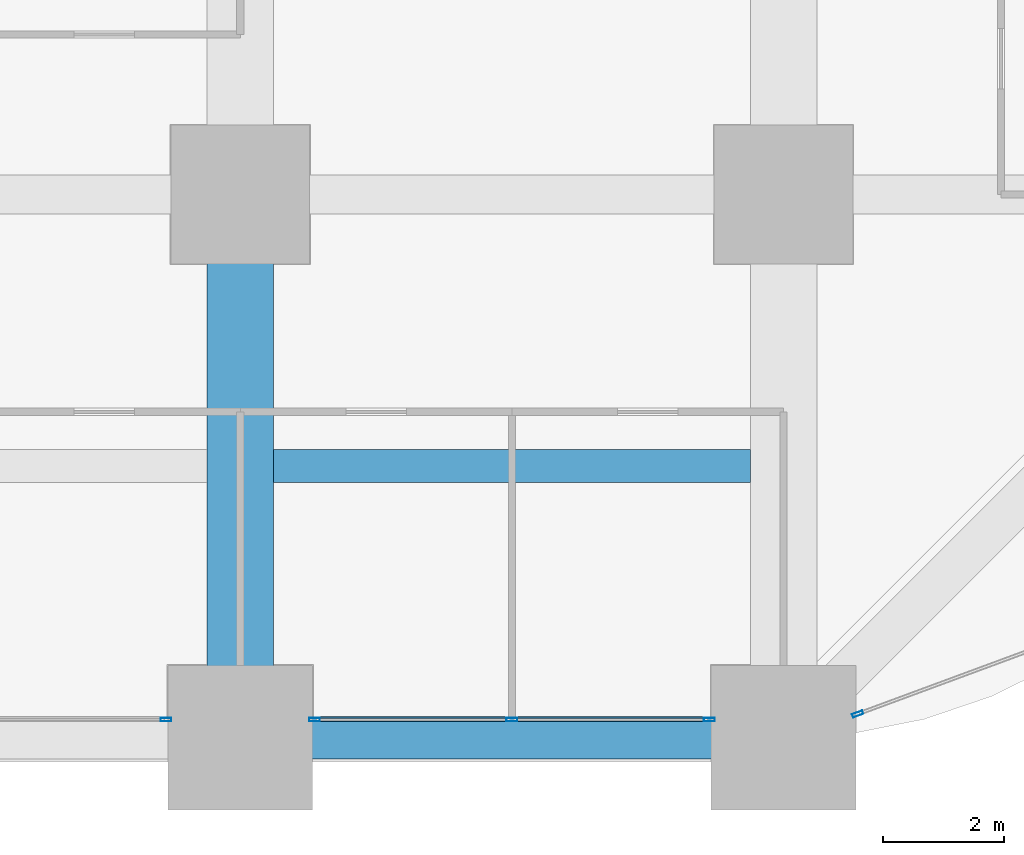
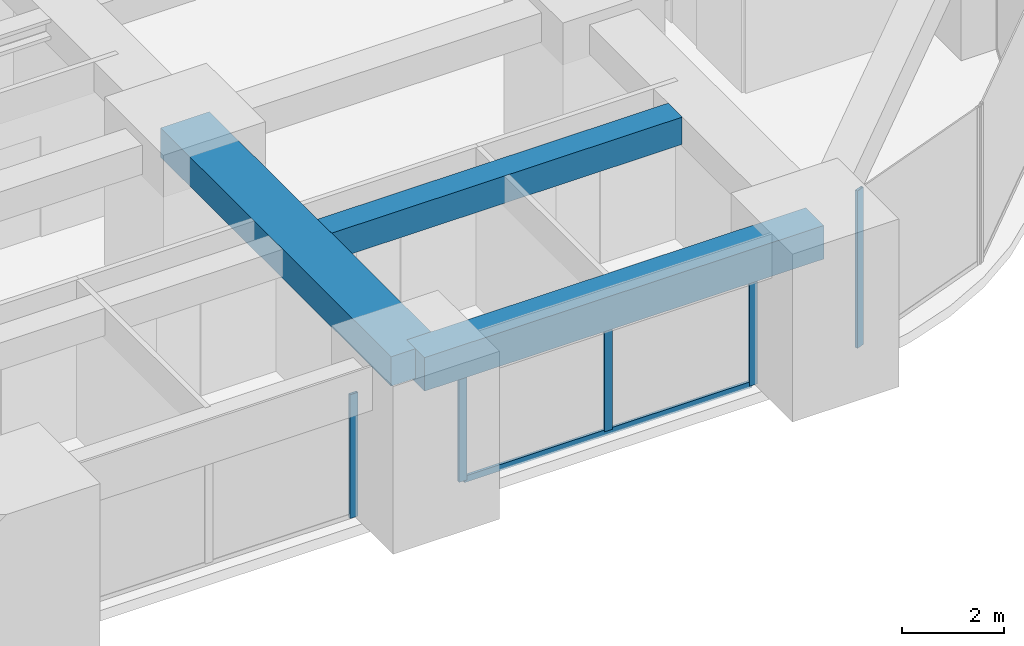
# One storey, part 13 of 39: 6 members, 3 beams, 3 elements without a shape of their own.
"""IFC4 building model written with IfcOpenShell, lengths in metres."""

from ifc_helpers import new_model, si_unit, direction, frame, origin, origin_2d, place, context, subcontext, project, spatial, rectangle, hollow_rectangle, extrude, material, material_profile, profile_set, type_object, element, aggregate, save


model = new_model("IFC4")

# Units and contexts
model_context = context("Model", 3, precision=1e-05, world=origin(), true_north=direction((0.0, 1.0)))
body_context = subcontext(model_context, "Body", "Model", "MODEL_VIEW")
ifc_project = project(units=[si_unit("LENGTHUNIT", "METRE"), si_unit("AREAUNIT", "SQUARE_METRE"), si_unit("VOLUMEUNIT", "CUBIC_METRE"), si_unit("PLANEANGLEUNIT", "RADIAN"), si_unit("MASSUNIT", "GRAM", prefix="KILO")], contexts=[model_context])

# Site, building, storey
site_placement = place(None, origin())
site = spatial("IfcSite", under=ifc_project, at=site_placement, CompositionType="ELEMENT")
building_placement = place(site_placement, origin())
building = spatial("IfcBuilding", under=site, at=building_placement, Name="Zorevar Civic Tower", CompositionType="ELEMENT")
storey_placement = place(building_placement, frame((0.0, 0.0, 19.800048828125)))
storey = spatial("IfcBuildingStorey", under=building, at=storey_placement, Name="L04", CompositionType="ELEMENT", Elevation=19.800048828125)

# Beams
ifc_material_1 = material(Name="Concrete C50/60", Category="concrete")
ifc_material_profile_1 = material_profile(ifc_material_1, rectangle(XDim=1.10009765625, YDim=0.699951171875, at=origin_2d()), Name="RC 1100x700")
ifc_profile_set_1 = profile_set([ifc_material_profile_1], Name="Concrete C50/60")
beam_type_1 = type_object("IfcBeamType", Name="Beam RC 1100x700", PredefinedType="BEAM", material=ifc_profile_set_1)
beam_1_placement = place(storey_placement, frame((45.0, 0.0, 3.39990234375), z_axis=(0.0, 1.0, 0.0), x_axis=(-1.0, 0.0, 0.0)))
element("IfcBeam", 1, at=beam_1_placement, inside=storey, type_object=beam_type_1, Name="Girder L05", PredefinedType="BEAM", context=body_context, shape_type="SweptSolid", body=[
    extrude(rectangle(XDim=1.10009765625, YDim=0.699951171875, at=origin_2d()), origin(), (0.0, 0.0, 1.0), 9.0),
])
ifc_material_2 = material(Name="Concrete C50/60", Category="concrete")
ifc_material_profile_2 = material_profile(ifc_material_2, rectangle(XDim=0.550048828125, YDim=0.64990234375, at=origin_2d()), Name="RC 550x650")
ifc_profile_set_2 = profile_set([ifc_material_profile_2], Name="Concrete C50/60")
beam_type_2 = type_object("IfcBeamType", Name="Beam RC 550x650", PredefinedType="BEAM", material=ifc_profile_set_2)
beam_2_placement = place(storey_placement, frame((45.550048828125, 4.5, 3.425048828125), z_axis=(1.0, 0.0, 0.0), x_axis=(0.0, 1.0, 0.0)))
element("IfcBeam", 2, at=beam_2_placement, inside=storey, type_object=beam_type_2, Name="Secondary beam L05", PredefinedType="BEAM", context=body_context, shape_type="SweptSolid", body=[
    extrude(rectangle(XDim=0.550048828125, YDim=0.64990234375, at=origin_2d()), origin(), (0.0, 0.0, 1.0), 7.89990234375),
])

# Curtain wall, member
ifc_material_3 = material(Name="Dark grey solar-control glass in black aluminium frame", Category="aluminium")
curtain_wall_type = type_object("IfcCurtainWallType", Name="Curtain wall CW2 low zone", PredefinedType="NOTDEFINED", material=ifc_material_3)
curtain_wall_1_placement = place(storey_placement, origin())
curtain_wall_1 = element("IfcCurtainWall", 3, at=curtain_wall_1_placement, inside=storey, type_object=curtain_wall_type, Name="CW2 L04", PredefinedType="NOTDEFINED")
ifc_material_4 = material(Name="Aluminium, black anodised", Category="aluminium")
ifc_material_profile_3 = material_profile(ifc_material_4, hollow_rectangle(XDim=0.06005859375, YDim=0.179931640625, WallThickness=0.00390625, at=origin_2d()), Name="AL 180x60x4")
ifc_profile_set_3 = profile_set([ifc_material_profile_3], Name="Aluminium, black anodised")
member_type_1 = type_object("IfcMemberType", Name="CW2 mullion AL 180x60x4", PredefinedType="MULLION", material=ifc_profile_set_3)
member_1_placement = place(storey_placement, frame((43.77001953125, 0.300048828125, 0.0), z_axis=(0.0, 0.0, 1.0), x_axis=(0.0, 1.0, 0.0)))
member_1 = element("IfcMember", 4, at=member_1_placement, type_object=member_type_1, Name="CW2 mullion 3", PredefinedType="MULLION", context=body_context, shape_type="SweptSolid", body=[
    extrude(hollow_rectangle(XDim=0.06005859375, YDim=0.179931640625, WallThickness=0.00390625, at=origin_2d()), origin(), (0.0, 0.0, 1.0), 2.949951171875),
])
aggregate(curtain_wall_1, [member_1])

# Curtain wall, members
curtain_wall_2_placement = place(storey_placement, origin())
curtain_wall_2 = element("IfcCurtainWall", 5, at=curtain_wall_2_placement, inside=storey, type_object=curtain_wall_type, Name="CW2 L04", PredefinedType="NOTDEFINED")
member_2_placement = place(storey_placement, frame((46.22998046875, 0.300048828125, 0.0), z_axis=(0.0, 0.0, 1.0), x_axis=(0.0, 1.0, 0.0)))
member_2 = element("IfcMember", 6, at=member_2_placement, type_object=member_type_1, Name="CW2 mullion 1", PredefinedType="MULLION", context=body_context, shape_type="SweptSolid", body=[
    extrude(hollow_rectangle(XDim=0.06005859375, YDim=0.179931640625, WallThickness=0.00390625, at=origin_2d()), origin(), (0.0, 0.0, 1.0), 2.949951171875),
])
member_3_placement = place(storey_placement, frame((49.5, 0.300048828125, 0.06005859375), z_axis=(0.0, 0.0, 1.0), x_axis=(0.0, 1.0, 0.0)))
member_3 = element("IfcMember", 7, at=member_3_placement, type_object=member_type_1, Name="CW2 mullion 2", PredefinedType="MULLION", context=body_context, shape_type="SweptSolid", body=[
    extrude(hollow_rectangle(XDim=0.06005859375, YDim=0.179931640625, WallThickness=0.00390625, at=origin_2d()), origin(), (0.0, 0.0, 1.0), 2.889892578125),
])
member_4_placement = place(storey_placement, frame((52.77001953125, 0.300048828125, 0.0), z_axis=(0.0, 0.0, 1.0), x_axis=(0.0, 1.0, 0.0)))
member_4 = element("IfcMember", 8, at=member_4_placement, type_object=member_type_1, Name="CW2 mullion 3", PredefinedType="MULLION", context=body_context, shape_type="SweptSolid", body=[
    extrude(hollow_rectangle(XDim=0.06005859375, YDim=0.179931640625, WallThickness=0.00390625, at=origin_2d()), origin(), (0.0, 0.0, 1.0), 2.949951171875),
])

# Curtain wall, member
curtain_wall_3_placement = place(storey_placement, origin())
curtain_wall_3 = element("IfcCurtainWall", 9, at=curtain_wall_3_placement, inside=storey, type_object=curtain_wall_type, Name="CW2 L04", PredefinedType="NOTDEFINED")
member_5_placement = place(storey_placement, frame((55.22802734375, 0.3935546875, 0.0), z_axis=(0.0, 0.0, 1.0), x_axis=(-0.346704012033, 0.937974588163, 0.0)))
member_5 = element("IfcMember", 10, at=member_5_placement, type_object=member_type_1, Name="CW2 mullion 1", PredefinedType="MULLION", context=body_context, shape_type="SweptSolid", body=[
    extrude(hollow_rectangle(XDim=0.06005859375, YDim=0.179931640625, WallThickness=0.00390625, at=origin_2d()), origin(), (0.0, 0.0, 1.0), 3.75),
])
aggregate(curtain_wall_3, [member_5])

# Member
ifc_material_5 = material(Name="Aluminium, black anodised", Category="aluminium")
ifc_material_profile_4 = material_profile(ifc_material_5, hollow_rectangle(XDim=0.06005859375, YDim=0.14990234375, WallThickness=0.00390625, at=origin_2d()), Name="AL 150x60x4")
ifc_profile_set_4 = profile_set([ifc_material_profile_4], Name="Aluminium, black anodised")
member_type_2 = type_object("IfcMemberType", Name="CW2 transom AL 150x60x4", PredefinedType="USERDEFINED", material=ifc_profile_set_4)
member_6_placement = place(storey_placement, frame((46.260009765625, 0.300048828125, 0.030029296875), z_axis=(1.0, 0.0, 0.0), x_axis=(0.0, 1.0, 0.0)))
member_6 = element("IfcMember", 11, at=member_6_placement, type_object=member_type_2, Name="CW2 sill transom", ObjectType="TRANSOM", PredefinedType="USERDEFINED", context=body_context, shape_type="SweptSolid", body=[
    extrude(hollow_rectangle(XDim=0.06005859375, YDim=0.14990234375, WallThickness=0.00390625, at=origin_2d()), origin(), (0.0, 0.0, 1.0), 6.47998046875),
])

aggregate(curtain_wall_2, [member_2, member_3, member_4, member_6])

# Beam
ifc_material_6 = material(Name="Concrete C50/60", Category="concrete")
ifc_material_profile_5 = material_profile(ifc_material_6, rectangle(XDim=0.699951171875, YDim=0.800048828125, at=origin_2d()), Name="RC 700x800")
ifc_profile_set_5 = profile_set([ifc_material_profile_5], Name="Concrete C50/60")
beam_type_3 = type_object("IfcBeamType", Name="Edge beam RC 700x800", PredefinedType="SPANDREL", material=ifc_profile_set_5)
beam_3_placement = place(storey_placement, frame((45.0, 0.0, 3.349853515625), z_axis=(1.0, 0.0, 0.0), x_axis=(0.0, 1.0, 0.0)))
element("IfcBeam", 12, at=beam_3_placement, inside=storey, type_object=beam_type_3, Name="Edge beam L05", PredefinedType="SPANDREL", context=body_context, shape_type="SweptSolid", body=[
    extrude(rectangle(XDim=0.699951171875, YDim=0.800048828125, at=origin_2d()), origin(), (0.0, 0.0, 1.0), 9.0),
])

save(model, "model.ifc")
